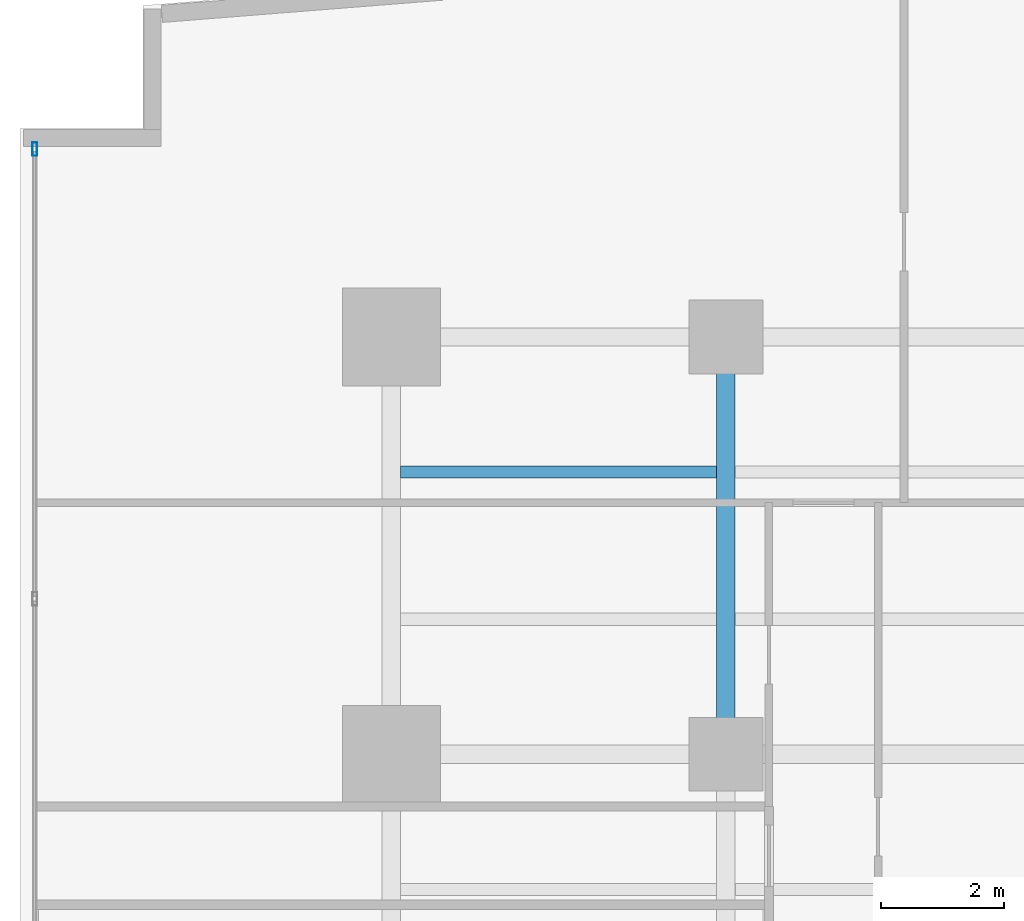
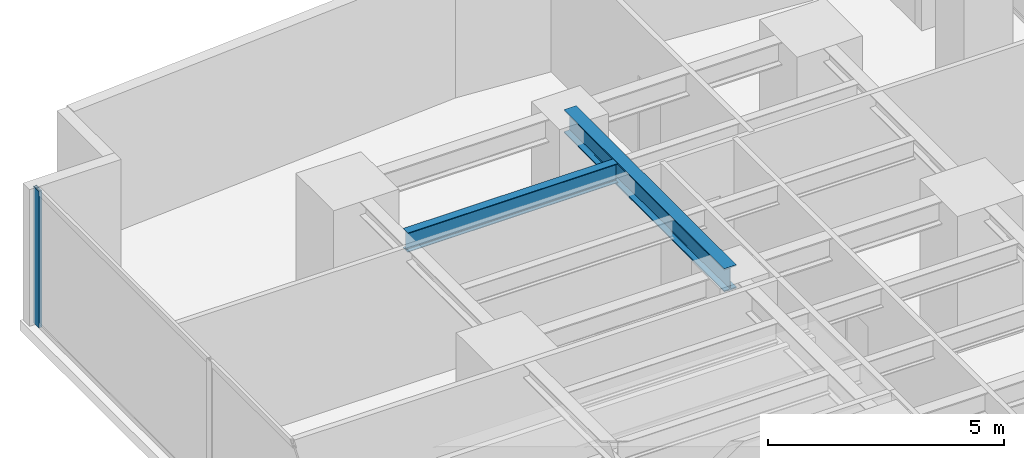
# One storey, part 17 of 26: 2 beams, 1 member, 1 element without a shape of its own.
"""IFC4 building model written with IfcOpenShell, lengths in metres."""

from ifc_helpers import new_model, si_unit, direction, frame, origin, origin_with_axes, origin_2d, place, context, subcontext, project, spatial, hollow_rectangle, i_section, extrude, source, transform, mapped, material, layer, layer_set, material_profile, profile_set, type_object, element, aggregate, save


model = new_model("IFC4")

# Units and contexts
model_context = context("Model", 3, precision=1e-05, world=origin(), true_north=direction((0.0, 1.0)))
body_context = subcontext(model_context, "Body", "Model", "MODEL_VIEW")
ifc_project = project(units=[si_unit("LENGTHUNIT", "METRE"), si_unit("AREAUNIT", "SQUARE_METRE"), si_unit("VOLUMEUNIT", "CUBIC_METRE"), si_unit("PLANEANGLEUNIT", "RADIAN"), si_unit("MASSUNIT", "GRAM", prefix="KILO")], contexts=[model_context])

# Site, building, storey
site_placement = place(None, origin())
site = spatial("IfcSite", under=ifc_project, at=site_placement, CompositionType="ELEMENT")
building_placement = place(site_placement, origin())
building = spatial("IfcBuilding", under=site, at=building_placement, Name="Kolvaren Waterfront Exchange", CompositionType="ELEMENT")
storey_placement = place(building_placement, frame((0.0, 0.0, 44.800048828125)))
storey = spatial("IfcBuildingStorey", under=building, at=storey_placement, Name="L11", CompositionType="ELEMENT", Elevation=44.800048828125)

# Beams
ifc_material_1 = material(Name="Steel S355", Category="steel")
ifc_material_profile_1 = material_profile(ifc_material_1, i_section(OverallWidth=0.300048828125, OverallDepth=0.60009765625, WebThickness=0.015380859375, FlangeThickness=0.030029296875, FilletRadius=0.027099609375, at=origin_2d()), Name="HEB600")
ifc_profile_set_1 = profile_set([ifc_material_profile_1], Name="Steel S355")
beam_type_1 = type_object("IfcBeamType", Name="STR-BM-HEB600", PredefinedType="BEAM", material=ifc_profile_set_1)
beam_1_placement = place(storey_placement, frame((12.89990234375, 37.800048828125, 3.239990234375), z_axis=(0.0, 1.0, 0.0), x_axis=(-1.0, 0.0, 0.0)))
element("IfcBeam", 1, at=beam_1_placement, inside=storey, type_object=beam_type_1, Name="L11 north-arm edge beam 3", PredefinedType="BEAM", context=body_context, shape_type="SweptSolid", body=[
    extrude(i_section(OverallWidth=0.300048828125, OverallDepth=0.60009765625, WebThickness=0.015380859375, FlangeThickness=0.030029296875, FilletRadius=0.027099609375, at=origin_2d()), origin(), (0.0, 0.0, 1.0), 6.800048828125),
])
ifc_material_profile_2 = material_profile(ifc_material_1, i_section(OverallWidth=0.199951171875, OverallDepth=0.5, WebThickness=0.01025390625, FlangeThickness=0.01611328125, FilletRadius=0.02099609375, at=origin_2d()), Name="IPE500")
ifc_profile_set_2 = profile_set([ifc_material_profile_2], Name="Steel S355")
beam_type_2 = type_object("IfcBeamType", Name="STR-BM-IPE500", PredefinedType="JOIST", material=ifc_profile_set_2)
beam_2_placement = place(storey_placement, frame((7.60205078125, 42.39990234375, 3.2900390625), z_axis=(1.0, 0.0, 0.0), x_axis=(0.0, 1.0, 0.0)))
element("IfcBeam", 2, at=beam_2_placement, inside=storey, type_object=beam_type_2, Name="L11 north-arm composite joist 6A", PredefinedType="JOIST", context=body_context, shape_type="SweptSolid", body=[
    extrude(i_section(OverallWidth=0.199951171875, OverallDepth=0.5, WebThickness=0.01025390625, FlangeThickness=0.01611328125, FilletRadius=0.02099609375, at=origin_2d()), origin(), (0.0, 0.0, 1.0), 5.14599609375),
])

# Curtain wall, member
ifc_material_2 = material(Name="Anodised aluminium 6063-T6", Category="aluminium")
ifc_layer = layer(ifc_material_2, 0.219970703125, Name="Anodised aluminium 6063-T6")
ifc_layer_set = layer_set([ifc_layer], Name="Anodised aluminium 6063-T6")
curtain_wall_type = type_object("IfcCurtainWallType", Name="ARC-CW-SYS2", PredefinedType="USERDEFINED", material=ifc_layer_set)
curtain_wall_placement = place(storey_placement, origin())
curtain_wall = element("IfcCurtainWall", 3, at=curtain_wall_placement, inside=storey, type_object=curtain_wall_type, Name="L11 stick curtain wall CW2 (CW-L11-W)", ObjectType="STICK CURTAIN WALL", PredefinedType="USERDEFINED")
ifc_material_profile_3 = material_profile(ifc_material_2, hollow_rectangle(XDim=0.080078125, YDim=0.219970703125, WallThickness=0.0048828125, at=origin_2d()), Name="ALU-MUL-220x80x5")
ifc_profile_set_3 = profile_set([ifc_material_profile_3], Name="Anodised aluminium 6063-T6")
member_type = type_object("IfcMemberType", Name="ARC-CWM-220", PredefinedType="MULLION", material=ifc_profile_set_3)
shared_shape = source(origin_with_axes(), body_context, "Body", "SweptSolid", [
    extrude(hollow_rectangle(XDim=0.080078125, YDim=0.219970703125, WallThickness=0.0048828125, at=origin_2d()), origin(), (0.0, 0.0, 1.0), 3.5400390625),
])
member_placement = place(storey_placement, frame((1.639892578125, 47.659912109375, 0.0), z_axis=(0.0, 0.0, 1.0), x_axis=(-1.0, 0.0, 0.0)))
member = element("IfcMember", 4, at=member_placement, type_object=member_type, Name="CW2 mullion 7", PredefinedType="MULLION", context=body_context, shape_type="MappedRepresentation", body=[
    mapped(shared_shape, transform((0.0, 0.0, 0.0), x_axis=(1.0, 0.0, 0.0), y_axis=(0.0, 1.0, 0.0), z_axis=(0.0, 0.0, 1.0), scale=1.0)),
])
aggregate(curtain_wall, [member])

save(model, "model.ifc")
